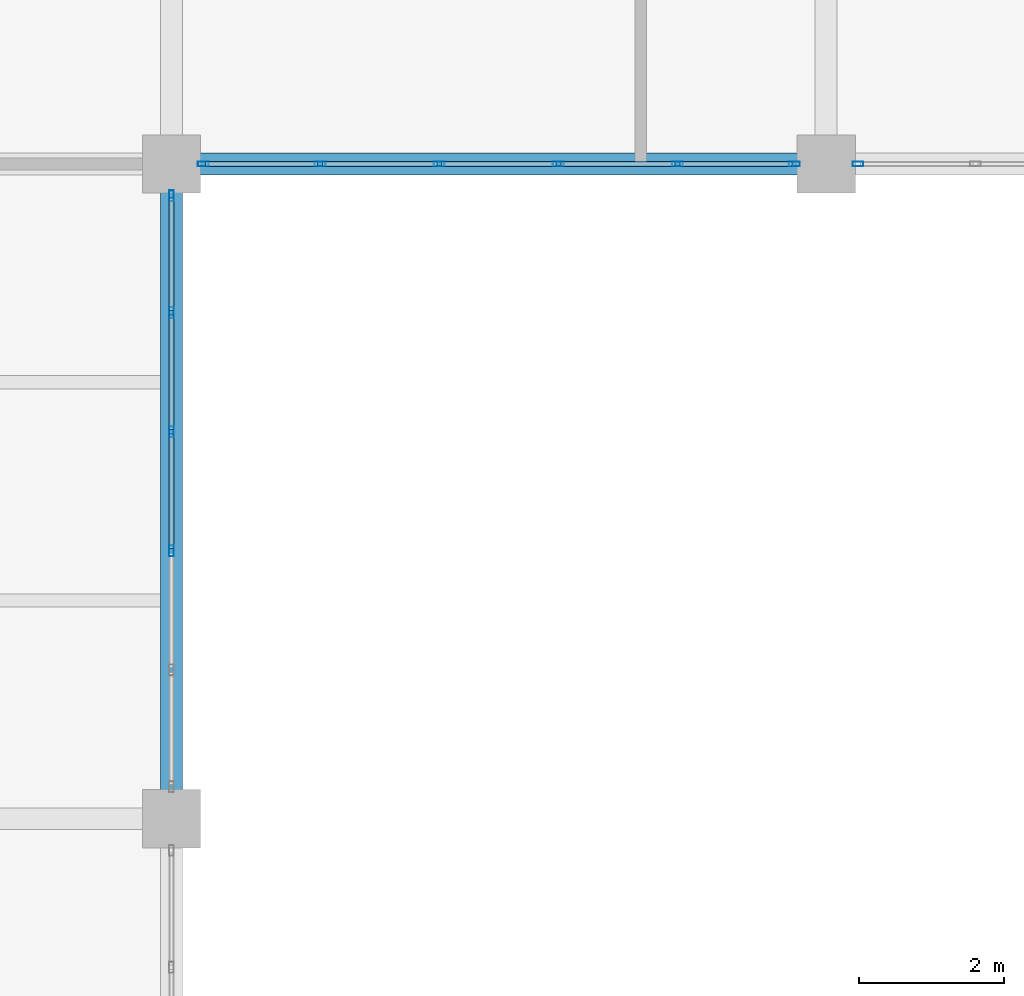
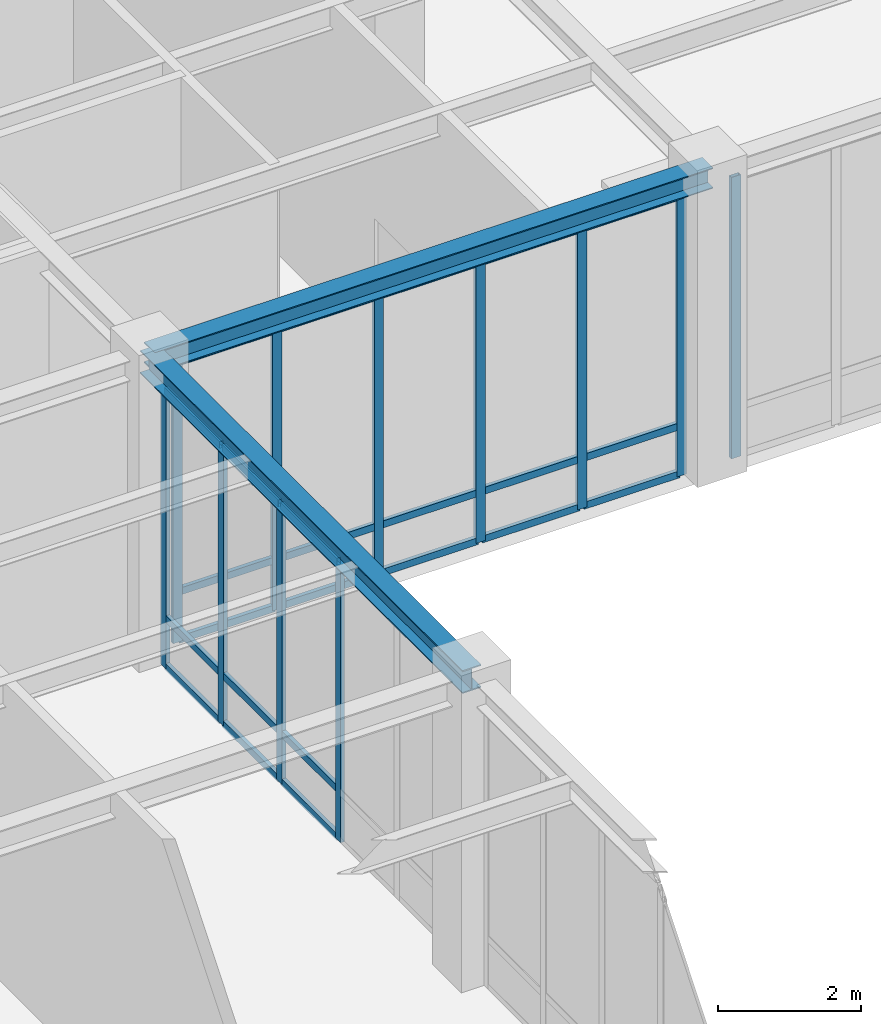
# One storey, part 26 of 77: 35 members, 2 beams, 3 elements without a shape of their own.
"""IFC4 building model written with IfcOpenShell, lengths in metres."""

from ifc_helpers import new_model, si_unit, direction, frame, origin, origin_2d, place, context, subcontext, project, spatial, hollow_rectangle, i_section, extrude, material, material_profile, profile_set, type_object, element, aggregate, save


model = new_model("IFC4")

# Units and contexts
model_context = context("Model", 3, precision=1e-05, world=origin(), true_north=direction((0.0, 1.0)))
body_context = subcontext(model_context, "Body", "Model", "MODEL_VIEW")
ifc_project = project(units=[si_unit("LENGTHUNIT", "METRE"), si_unit("AREAUNIT", "SQUARE_METRE"), si_unit("VOLUMEUNIT", "CUBIC_METRE"), si_unit("PLANEANGLEUNIT", "RADIAN"), si_unit("MASSUNIT", "GRAM", prefix="KILO")], contexts=[model_context])

# Site, building, storey
site_placement = place(None, origin())
site = spatial("IfcSite", under=ifc_project, at=site_placement, CompositionType="ELEMENT")
building_placement = place(site_placement, origin())
building = spatial("IfcBuilding", under=site, at=building_placement, Name="Lykobir Media Centre", CompositionType="ELEMENT")
storey_placement = place(building_placement, origin())
storey = spatial("IfcBuildingStorey", under=building, at=storey_placement, Name="L00", CompositionType="ELEMENT", Elevation=0.0)

# Beam
ifc_material_1 = material(Name="Steel S355", Category="steel")
ifc_material_profile_1 = material_profile(ifc_material_1, i_section(OverallWidth=0.300048828125, OverallDepth=0.389892578125, WebThickness=0.010986328125, FlangeThickness=0.01904296875, at=origin_2d()), Name="HEA 400")
ifc_profile_set_1 = profile_set([ifc_material_profile_1], Name="Steel S355")
beam_type_1 = type_object("IfcBeamType", Name="BM-HEA400", PredefinedType="BEAM", material=ifc_profile_set_1)
beam_1_placement = place(storey_placement, frame((36.0, 54.0, 4.965087890625), z_axis=(0.0, 1.0, 0.0), x_axis=(-1.0, 0.0, 0.0)))
element("IfcBeam", 1, at=beam_1_placement, inside=storey, type_object=beam_type_1, Name="Beam BM-L00-0360-0540-0360-0630-496", PredefinedType="BEAM", context=body_context, shape_type="SweptSolid", body=[
    extrude(i_section(OverallWidth=0.300048828125, OverallDepth=0.389892578125, WebThickness=0.010986328125, FlangeThickness=0.01904296875, at=origin_2d()), origin(), (0.0, 0.0, 1.0), 9.0),
])

# Curtain wall, members
ifc_material_2 = material(Name="Anodized Aluminium AW-6060", Category="aluminium")
curtain_wall_type = type_object("IfcCurtainWallType", Name="CW-COURT-A", PredefinedType="NOTDEFINED", material=ifc_material_2)
curtain_wall_1_placement = place(storey_placement, origin())
curtain_wall_1 = element("IfcCurtainWall", 2, at=curtain_wall_1_placement, inside=storey, type_object=curtain_wall_type, Name="Curtain wall CW2-L00-0018", PredefinedType="NOTDEFINED")
ifc_material_profile_2 = material_profile(ifc_material_2, hollow_rectangle(XDim=0.06494140625, YDim=0.14990234375, WallThickness=0.00341796875, at=origin_2d()), Name="ALU MULLION 65x150")
ifc_profile_set_2 = profile_set([ifc_material_profile_2], Name="Anodized Aluminium AW-6060")
member_type_1 = type_object("IfcMemberType", Name="CWM-150", PredefinedType="MULLION", material=ifc_profile_set_2)
member_1_placement = place(storey_placement, frame((36.0, 62.5625, 0.0), z_axis=(0.0, 0.0, 1.0), x_axis=(1.0, 0.0, 0.0)))
member_1 = element("IfcMember", 3, at=member_1_placement, type_object=member_type_1, Name="CW2-L00-0018 mullion 1", PredefinedType="MULLION", context=body_context, shape_type="SweptSolid", body=[
    extrude(hollow_rectangle(XDim=0.06494140625, YDim=0.14990234375, WallThickness=0.00341796875, at=origin_2d()), origin(), (0.0, 0.0, 1.0), 4.7548828125),
])
member_2_placement = place(storey_placement, frame((36.0, 60.95703125, 0.0), z_axis=(0.0, 0.0, 1.0), x_axis=(1.0, 0.0, 0.0)))
member_2 = element("IfcMember", 4, at=member_2_placement, type_object=member_type_1, Name="CW2-L00-0018 mullion 2", PredefinedType="MULLION", context=body_context, shape_type="SweptSolid", body=[
    extrude(hollow_rectangle(XDim=0.06494140625, YDim=0.14990234375, WallThickness=0.00341796875, at=origin_2d()), origin(), (0.0, 0.0, 1.0), 4.7548828125),
])
member_3_placement = place(storey_placement, frame((36.0, 59.319091796875, 0.0), z_axis=(0.0, 0.0, 1.0), x_axis=(1.0, 0.0, 0.0)))
member_3 = element("IfcMember", 5, at=member_3_placement, type_object=member_type_1, Name="CW2-L00-0018 mullion 3", PredefinedType="MULLION", context=body_context, shape_type="SweptSolid", body=[
    extrude(hollow_rectangle(XDim=0.06494140625, YDim=0.14990234375, WallThickness=0.00341796875, at=origin_2d()), origin(), (0.0, 0.0, 1.0), 4.7548828125),
])
member_4_placement = place(storey_placement, frame((36.0, 57.680908203125, 0.0), z_axis=(0.0, 0.0, 1.0), x_axis=(1.0, 0.0, 0.0)))
member_4 = element("IfcMember", 6, at=member_4_placement, type_object=member_type_1, Name="CW2-L00-0018 mullion 4", PredefinedType="MULLION", context=body_context, shape_type="SweptSolid", body=[
    extrude(hollow_rectangle(XDim=0.06494140625, YDim=0.14990234375, WallThickness=0.00341796875, at=origin_2d()), origin(), (0.0, 0.0, 1.0), 4.7548828125),
])

curtain_wall_2_placement = place(storey_placement, origin())
curtain_wall_2 = element("IfcCurtainWall", 7, at=curtain_wall_2_placement, inside=storey, type_object=curtain_wall_type, Name="Curtain wall CW2-L00-0019", PredefinedType="NOTDEFINED")
member_5_placement = place(storey_placement, frame((44.5625, 63.0, 0.0), z_axis=(0.0, 0.0, 1.0), x_axis=(0.0, -1.0, 0.0)))
member_5 = element("IfcMember", 8, at=member_5_placement, type_object=member_type_1, Name="CW2-L00-0019 mullion 1", PredefinedType="MULLION", context=body_context, shape_type="SweptSolid", body=[
    extrude(hollow_rectangle(XDim=0.06494140625, YDim=0.14990234375, WallThickness=0.00341796875, at=origin_2d()), origin(), (0.0, 0.0, 1.0), 4.794921875),
])
member_6_placement = place(storey_placement, frame((42.95703125, 63.0, 0.0), z_axis=(0.0, 0.0, 1.0), x_axis=(0.0, -1.0, 0.0)))
member_6 = element("IfcMember", 9, at=member_6_placement, type_object=member_type_1, Name="CW2-L00-0019 mullion 2", PredefinedType="MULLION", context=body_context, shape_type="SweptSolid", body=[
    extrude(hollow_rectangle(XDim=0.06494140625, YDim=0.14990234375, WallThickness=0.00341796875, at=origin_2d()), origin(), (0.0, 0.0, 1.0), 4.794921875),
])
member_7_placement = place(storey_placement, frame((41.319091796875, 63.0, 0.0), z_axis=(0.0, 0.0, 1.0), x_axis=(0.0, -1.0, 0.0)))
member_7 = element("IfcMember", 10, at=member_7_placement, type_object=member_type_1, Name="CW2-L00-0019 mullion 3", PredefinedType="MULLION", context=body_context, shape_type="SweptSolid", body=[
    extrude(hollow_rectangle(XDim=0.06494140625, YDim=0.14990234375, WallThickness=0.00341796875, at=origin_2d()), origin(), (0.0, 0.0, 1.0), 4.794921875),
])
member_8_placement = place(storey_placement, frame((39.680908203125, 63.0, 0.0), z_axis=(0.0, 0.0, 1.0), x_axis=(0.0, -1.0, 0.0)))
member_8 = element("IfcMember", 11, at=member_8_placement, type_object=member_type_1, Name="CW2-L00-0019 mullion 4", PredefinedType="MULLION", context=body_context, shape_type="SweptSolid", body=[
    extrude(hollow_rectangle(XDim=0.06494140625, YDim=0.14990234375, WallThickness=0.00341796875, at=origin_2d()), origin(), (0.0, 0.0, 1.0), 4.794921875),
])
member_9_placement = place(storey_placement, frame((38.04296875, 63.0, 0.0), z_axis=(0.0, 0.0, 1.0), x_axis=(0.0, -1.0, 0.0)))
member_9 = element("IfcMember", 12, at=member_9_placement, type_object=member_type_1, Name="CW2-L00-0019 mullion 5", PredefinedType="MULLION", context=body_context, shape_type="SweptSolid", body=[
    extrude(hollow_rectangle(XDim=0.06494140625, YDim=0.14990234375, WallThickness=0.00341796875, at=origin_2d()), origin(), (0.0, 0.0, 1.0), 4.794921875),
])
member_10_placement = place(storey_placement, frame((36.4375, 63.0, 0.0), z_axis=(0.0, 0.0, 1.0), x_axis=(0.0, -1.0, 0.0)))
member_10 = element("IfcMember", 13, at=member_10_placement, type_object=member_type_1, Name="CW2-L00-0019 mullion 6", PredefinedType="MULLION", context=body_context, shape_type="SweptSolid", body=[
    extrude(hollow_rectangle(XDim=0.06494140625, YDim=0.14990234375, WallThickness=0.00341796875, at=origin_2d()), origin(), (0.0, 0.0, 1.0), 4.794921875),
])

# Curtain wall, member
curtain_wall_3_placement = place(storey_placement, origin())
curtain_wall_3 = element("IfcCurtainWall", 14, at=curtain_wall_3_placement, inside=storey, type_object=curtain_wall_type, Name="Curtain wall CW2-L00-0020", PredefinedType="NOTDEFINED")
member_11_placement = place(storey_placement, frame((45.4375, 63.0, 0.0), z_axis=(0.0, 0.0, 1.0), x_axis=(0.0, -1.0, 0.0)))
member_11 = element("IfcMember", 15, at=member_11_placement, type_object=member_type_1, Name="CW2-L00-0020 mullion 6", PredefinedType="MULLION", context=body_context, shape_type="SweptSolid", body=[
    extrude(hollow_rectangle(XDim=0.06494140625, YDim=0.14990234375, WallThickness=0.00341796875, at=origin_2d()), origin(), (0.0, 0.0, 1.0), 4.794921875),
])
aggregate(curtain_wall_3, [member_11])

# Member
ifc_material_profile_3 = material_profile(ifc_material_2, hollow_rectangle(XDim=0.06494140625, YDim=0.1201171875, WallThickness=0.0029296875, at=origin_2d()), Name="ALU TRANSOM 65x120")
ifc_profile_set_3 = profile_set([ifc_material_profile_3], Name="Anodized Aluminium AW-6060")
member_type_2 = type_object("IfcMemberType", Name="CWT-120", PredefinedType="USERDEFINED", material=ifc_profile_set_3)
member_12_placement = place(storey_placement, frame((36.0, 62.530029296875, 0.032470703125), z_axis=(0.0, -1.0, 0.0), x_axis=(1.0, 0.0, 0.0)))
member_12 = element("IfcMember", 16, at=member_12_placement, type_object=member_type_2, Name="CW2-L00-0018 transom 1.1", ObjectType="TRANSOM", PredefinedType="USERDEFINED", context=body_context, shape_type="SweptSolid", body=[
    extrude(hollow_rectangle(XDim=0.06494140625, YDim=0.1201171875, WallThickness=0.0029296875, at=origin_2d()), origin(), (0.0, 0.0, 1.0), 1.54052734375),
])

member_13_placement = place(storey_placement, frame((36.0, 62.530029296875, 0.85009765625), z_axis=(0.0, -1.0, 0.0), x_axis=(1.0, 0.0, 0.0)))
member_13 = element("IfcMember", 17, at=member_13_placement, type_object=member_type_2, Name="CW2-L00-0018 transom 1.2", ObjectType="TRANSOM", PredefinedType="USERDEFINED", context=body_context, shape_type="SweptSolid", body=[
    extrude(hollow_rectangle(XDim=0.06494140625, YDim=0.1201171875, WallThickness=0.0029296875, at=origin_2d()), origin(), (0.0, 0.0, 1.0), 1.54052734375),
])

member_14_placement = place(storey_placement, frame((36.0, 62.530029296875, 4.722412109375), z_axis=(0.0, -1.0, 0.0), x_axis=(1.0, 0.0, 0.0)))
member_14 = element("IfcMember", 18, at=member_14_placement, type_object=member_type_2, Name="CW2-L00-0018 transom 1.3", ObjectType="TRANSOM", PredefinedType="USERDEFINED", context=body_context, shape_type="SweptSolid", body=[
    extrude(hollow_rectangle(XDim=0.06494140625, YDim=0.1201171875, WallThickness=0.0029296875, at=origin_2d()), origin(), (0.0, 0.0, 1.0), 1.54052734375),
])

member_15_placement = place(storey_placement, frame((36.0, 60.924560546875, 0.032470703125), z_axis=(0.0, -1.0, 0.0), x_axis=(1.0, 0.0, 0.0)))
member_15 = element("IfcMember", 19, at=member_15_placement, type_object=member_type_2, Name="CW2-L00-0018 transom 2.1", ObjectType="TRANSOM", PredefinedType="USERDEFINED", context=body_context, shape_type="SweptSolid", body=[
    extrude(hollow_rectangle(XDim=0.06494140625, YDim=0.1201171875, WallThickness=0.0029296875, at=origin_2d()), origin(), (0.0, 0.0, 1.0), 1.572998046875),
])

member_16_placement = place(storey_placement, frame((36.0, 60.924560546875, 0.85009765625), z_axis=(0.0, -1.0, 0.0), x_axis=(1.0, 0.0, 0.0)))
member_16 = element("IfcMember", 20, at=member_16_placement, type_object=member_type_2, Name="CW2-L00-0018 transom 2.2", ObjectType="TRANSOM", PredefinedType="USERDEFINED", context=body_context, shape_type="SweptSolid", body=[
    extrude(hollow_rectangle(XDim=0.06494140625, YDim=0.1201171875, WallThickness=0.0029296875, at=origin_2d()), origin(), (0.0, 0.0, 1.0), 1.572998046875),
])

member_17_placement = place(storey_placement, frame((36.0, 60.924560546875, 4.722412109375), z_axis=(0.0, -1.0, 0.0), x_axis=(1.0, 0.0, 0.0)))
member_17 = element("IfcMember", 21, at=member_17_placement, type_object=member_type_2, Name="CW2-L00-0018 transom 2.3", ObjectType="TRANSOM", PredefinedType="USERDEFINED", context=body_context, shape_type="SweptSolid", body=[
    extrude(hollow_rectangle(XDim=0.06494140625, YDim=0.1201171875, WallThickness=0.0029296875, at=origin_2d()), origin(), (0.0, 0.0, 1.0), 1.572998046875),
])

member_18_placement = place(storey_placement, frame((36.0, 59.28662109375, 0.032470703125), z_axis=(0.0, -1.0, 0.0), x_axis=(1.0, 0.0, 0.0)))
member_18 = element("IfcMember", 22, at=member_18_placement, type_object=member_type_2, Name="CW2-L00-0018 transom 3.1", ObjectType="TRANSOM", PredefinedType="USERDEFINED", context=body_context, shape_type="SweptSolid", body=[
    extrude(hollow_rectangle(XDim=0.06494140625, YDim=0.1201171875, WallThickness=0.0029296875, at=origin_2d()), origin(), (0.0, 0.0, 1.0), 1.5732421875),
])

member_19_placement = place(storey_placement, frame((36.0, 59.28662109375, 0.85009765625), z_axis=(0.0, -1.0, 0.0), x_axis=(1.0, 0.0, 0.0)))
member_19 = element("IfcMember", 23, at=member_19_placement, type_object=member_type_2, Name="CW2-L00-0018 transom 3.2", ObjectType="TRANSOM", PredefinedType="USERDEFINED", context=body_context, shape_type="SweptSolid", body=[
    extrude(hollow_rectangle(XDim=0.06494140625, YDim=0.1201171875, WallThickness=0.0029296875, at=origin_2d()), origin(), (0.0, 0.0, 1.0), 1.5732421875),
])

member_20_placement = place(storey_placement, frame((36.0, 59.28662109375, 4.722412109375), z_axis=(0.0, -1.0, 0.0), x_axis=(1.0, 0.0, 0.0)))
member_20 = element("IfcMember", 24, at=member_20_placement, type_object=member_type_2, Name="CW2-L00-0018 transom 3.3", ObjectType="TRANSOM", PredefinedType="USERDEFINED", context=body_context, shape_type="SweptSolid", body=[
    extrude(hollow_rectangle(XDim=0.06494140625, YDim=0.1201171875, WallThickness=0.0029296875, at=origin_2d()), origin(), (0.0, 0.0, 1.0), 1.5732421875),
])

aggregate(curtain_wall_1, [member_1, member_2, member_3, member_4, member_12, member_13, member_14, member_15, member_16, member_17, member_18, member_19, member_20])

member_21_placement = place(storey_placement, frame((44.530029296875, 63.0, 0.032470703125), z_axis=(-1.0, 0.0, 0.0), x_axis=(0.0, -1.0, 0.0)))
member_21 = element("IfcMember", 25, at=member_21_placement, type_object=member_type_2, Name="CW2-L00-0019 transom 1.1", ObjectType="TRANSOM", PredefinedType="USERDEFINED", context=body_context, shape_type="SweptSolid", body=[
    extrude(hollow_rectangle(XDim=0.06494140625, YDim=0.1201171875, WallThickness=0.0029296875, at=origin_2d()), origin(), (0.0, 0.0, 1.0), 1.54052734375),
])

member_22_placement = place(storey_placement, frame((44.530029296875, 63.0, 0.85009765625), z_axis=(-1.0, 0.0, 0.0), x_axis=(0.0, -1.0, 0.0)))
member_22 = element("IfcMember", 26, at=member_22_placement, type_object=member_type_2, Name="CW2-L00-0019 transom 1.2", ObjectType="TRANSOM", PredefinedType="USERDEFINED", context=body_context, shape_type="SweptSolid", body=[
    extrude(hollow_rectangle(XDim=0.06494140625, YDim=0.1201171875, WallThickness=0.0029296875, at=origin_2d()), origin(), (0.0, 0.0, 1.0), 1.54052734375),
])

member_23_placement = place(storey_placement, frame((44.530029296875, 63.0, 4.762451171875), z_axis=(-1.0, 0.0, 0.0), x_axis=(0.0, -1.0, 0.0)))
member_23 = element("IfcMember", 27, at=member_23_placement, type_object=member_type_2, Name="CW2-L00-0019 transom 1.3", ObjectType="TRANSOM", PredefinedType="USERDEFINED", context=body_context, shape_type="SweptSolid", body=[
    extrude(hollow_rectangle(XDim=0.06494140625, YDim=0.1201171875, WallThickness=0.0029296875, at=origin_2d()), origin(), (0.0, 0.0, 1.0), 1.54052734375),
])

member_24_placement = place(storey_placement, frame((42.924560546875, 63.0, 0.032470703125), z_axis=(-1.0, 0.0, 0.0), x_axis=(0.0, -1.0, 0.0)))
member_24 = element("IfcMember", 28, at=member_24_placement, type_object=member_type_2, Name="CW2-L00-0019 transom 2.1", ObjectType="TRANSOM", PredefinedType="USERDEFINED", context=body_context, shape_type="SweptSolid", body=[
    extrude(hollow_rectangle(XDim=0.06494140625, YDim=0.1201171875, WallThickness=0.0029296875, at=origin_2d()), origin(), (0.0, 0.0, 1.0), 1.572998046875),
])

member_25_placement = place(storey_placement, frame((42.924560546875, 63.0, 0.85009765625), z_axis=(-1.0, 0.0, 0.0), x_axis=(0.0, -1.0, 0.0)))
member_25 = element("IfcMember", 29, at=member_25_placement, type_object=member_type_2, Name="CW2-L00-0019 transom 2.2", ObjectType="TRANSOM", PredefinedType="USERDEFINED", context=body_context, shape_type="SweptSolid", body=[
    extrude(hollow_rectangle(XDim=0.06494140625, YDim=0.1201171875, WallThickness=0.0029296875, at=origin_2d()), origin(), (0.0, 0.0, 1.0), 1.572998046875),
])

member_26_placement = place(storey_placement, frame((42.924560546875, 63.0, 4.762451171875), z_axis=(-1.0, 0.0, 0.0), x_axis=(0.0, -1.0, 0.0)))
member_26 = element("IfcMember", 30, at=member_26_placement, type_object=member_type_2, Name="CW2-L00-0019 transom 2.3", ObjectType="TRANSOM", PredefinedType="USERDEFINED", context=body_context, shape_type="SweptSolid", body=[
    extrude(hollow_rectangle(XDim=0.06494140625, YDim=0.1201171875, WallThickness=0.0029296875, at=origin_2d()), origin(), (0.0, 0.0, 1.0), 1.572998046875),
])

member_27_placement = place(storey_placement, frame((41.28662109375, 63.0, 0.032470703125), z_axis=(-1.0, 0.0, 0.0), x_axis=(0.0, -1.0, 0.0)))
member_27 = element("IfcMember", 31, at=member_27_placement, type_object=member_type_2, Name="CW2-L00-0019 transom 3.1", ObjectType="TRANSOM", PredefinedType="USERDEFINED", context=body_context, shape_type="SweptSolid", body=[
    extrude(hollow_rectangle(XDim=0.06494140625, YDim=0.1201171875, WallThickness=0.0029296875, at=origin_2d()), origin(), (0.0, 0.0, 1.0), 1.5732421875),
])

member_28_placement = place(storey_placement, frame((41.28662109375, 63.0, 0.85009765625), z_axis=(-1.0, 0.0, 0.0), x_axis=(0.0, -1.0, 0.0)))
member_28 = element("IfcMember", 32, at=member_28_placement, type_object=member_type_2, Name="CW2-L00-0019 transom 3.2", ObjectType="TRANSOM", PredefinedType="USERDEFINED", context=body_context, shape_type="SweptSolid", body=[
    extrude(hollow_rectangle(XDim=0.06494140625, YDim=0.1201171875, WallThickness=0.0029296875, at=origin_2d()), origin(), (0.0, 0.0, 1.0), 1.5732421875),
])

member_29_placement = place(storey_placement, frame((41.28662109375, 63.0, 4.762451171875), z_axis=(-1.0, 0.0, 0.0), x_axis=(0.0, -1.0, 0.0)))
member_29 = element("IfcMember", 33, at=member_29_placement, type_object=member_type_2, Name="CW2-L00-0019 transom 3.3", ObjectType="TRANSOM", PredefinedType="USERDEFINED", context=body_context, shape_type="SweptSolid", body=[
    extrude(hollow_rectangle(XDim=0.06494140625, YDim=0.1201171875, WallThickness=0.0029296875, at=origin_2d()), origin(), (0.0, 0.0, 1.0), 1.5732421875),
])

member_30_placement = place(storey_placement, frame((39.6484375, 63.0, 0.032470703125), z_axis=(-1.0, 0.0, 0.0), x_axis=(0.0, -1.0, 0.0)))
member_30 = element("IfcMember", 34, at=member_30_placement, type_object=member_type_2, Name="CW2-L00-0019 transom 4.1", ObjectType="TRANSOM", PredefinedType="USERDEFINED", context=body_context, shape_type="SweptSolid", body=[
    extrude(hollow_rectangle(XDim=0.06494140625, YDim=0.1201171875, WallThickness=0.0029296875, at=origin_2d()), origin(), (0.0, 0.0, 1.0), 1.572998046875),
])

member_31_placement = place(storey_placement, frame((39.6484375, 63.0, 0.85009765625), z_axis=(-1.0, 0.0, 0.0), x_axis=(0.0, -1.0, 0.0)))
member_31 = element("IfcMember", 35, at=member_31_placement, type_object=member_type_2, Name="CW2-L00-0019 transom 4.2", ObjectType="TRANSOM", PredefinedType="USERDEFINED", context=body_context, shape_type="SweptSolid", body=[
    extrude(hollow_rectangle(XDim=0.06494140625, YDim=0.1201171875, WallThickness=0.0029296875, at=origin_2d()), origin(), (0.0, 0.0, 1.0), 1.572998046875),
])

member_32_placement = place(storey_placement, frame((39.6484375, 63.0, 4.762451171875), z_axis=(-1.0, 0.0, 0.0), x_axis=(0.0, -1.0, 0.0)))
member_32 = element("IfcMember", 36, at=member_32_placement, type_object=member_type_2, Name="CW2-L00-0019 transom 4.3", ObjectType="TRANSOM", PredefinedType="USERDEFINED", context=body_context, shape_type="SweptSolid", body=[
    extrude(hollow_rectangle(XDim=0.06494140625, YDim=0.1201171875, WallThickness=0.0029296875, at=origin_2d()), origin(), (0.0, 0.0, 1.0), 1.572998046875),
])

member_33_placement = place(storey_placement, frame((38.010498046875, 63.0, 0.032470703125), z_axis=(-1.0, 0.0, 0.0), x_axis=(0.0, -1.0, 0.0)))
member_33 = element("IfcMember", 37, at=member_33_placement, type_object=member_type_2, Name="CW2-L00-0019 transom 5.1", ObjectType="TRANSOM", PredefinedType="USERDEFINED", context=body_context, shape_type="SweptSolid", body=[
    extrude(hollow_rectangle(XDim=0.06494140625, YDim=0.1201171875, WallThickness=0.0029296875, at=origin_2d()), origin(), (0.0, 0.0, 1.0), 1.54052734375),
])

member_34_placement = place(storey_placement, frame((38.010498046875, 63.0, 0.85009765625), z_axis=(-1.0, 0.0, 0.0), x_axis=(0.0, -1.0, 0.0)))
member_34 = element("IfcMember", 38, at=member_34_placement, type_object=member_type_2, Name="CW2-L00-0019 transom 5.2", ObjectType="TRANSOM", PredefinedType="USERDEFINED", context=body_context, shape_type="SweptSolid", body=[
    extrude(hollow_rectangle(XDim=0.06494140625, YDim=0.1201171875, WallThickness=0.0029296875, at=origin_2d()), origin(), (0.0, 0.0, 1.0), 1.54052734375),
])

member_35_placement = place(storey_placement, frame((38.010498046875, 63.0, 4.762451171875), z_axis=(-1.0, 0.0, 0.0), x_axis=(0.0, -1.0, 0.0)))
member_35 = element("IfcMember", 39, at=member_35_placement, type_object=member_type_2, Name="CW2-L00-0019 transom 5.3", ObjectType="TRANSOM", PredefinedType="USERDEFINED", context=body_context, shape_type="SweptSolid", body=[
    extrude(hollow_rectangle(XDim=0.06494140625, YDim=0.1201171875, WallThickness=0.0029296875, at=origin_2d()), origin(), (0.0, 0.0, 1.0), 1.54052734375),
])

aggregate(curtain_wall_2, [member_5, member_6, member_7, member_8, member_9, member_10, member_21, member_22, member_23, member_24, member_25, member_26, member_27, member_28, member_29, member_30, member_31, member_32, member_33, member_34, member_35])

# Beam
ifc_material_profile_4 = material_profile(ifc_material_1, i_section(OverallWidth=0.300048828125, OverallDepth=0.35009765625, WebThickness=0.010009765625, FlangeThickness=0.017578125, at=origin_2d()), Name="HEA 360")
ifc_profile_set_4 = profile_set([ifc_material_profile_4], Name="Steel S355")
beam_type_2 = type_object("IfcBeamType", Name="SP-HEA360", PredefinedType="SPANDREL", material=ifc_profile_set_4)
beam_2_placement = place(storey_placement, frame((36.0, 63.0, 4.985107421875), z_axis=(1.0, 0.0, 0.0), x_axis=(0.0, 1.0, 0.0)))
element("IfcBeam", 40, at=beam_2_placement, inside=storey, type_object=beam_type_2, Name="Beam BM-L00-0360-0630-0450-0630-499", PredefinedType="SPANDREL", context=body_context, shape_type="SweptSolid", body=[
    extrude(i_section(OverallWidth=0.300048828125, OverallDepth=0.35009765625, WebThickness=0.010009765625, FlangeThickness=0.017578125, at=origin_2d()), origin(), (0.0, 0.0, 1.0), 9.0),
])

save(model, "model.ifc")
